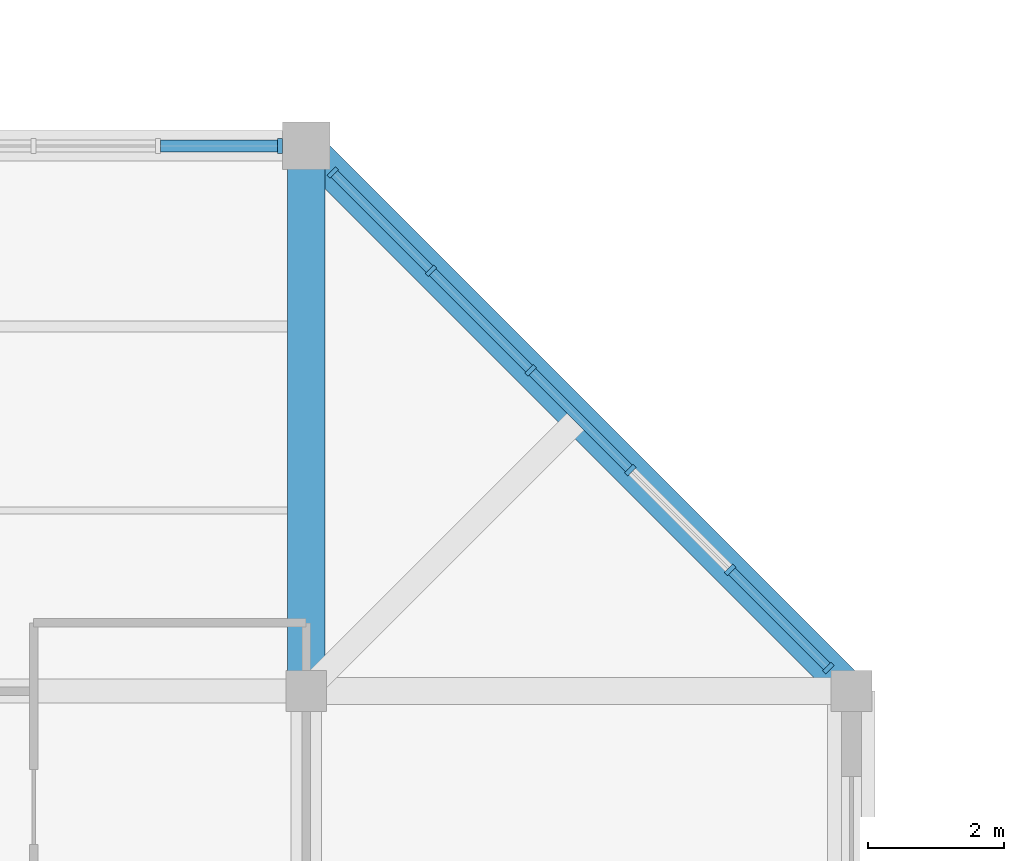
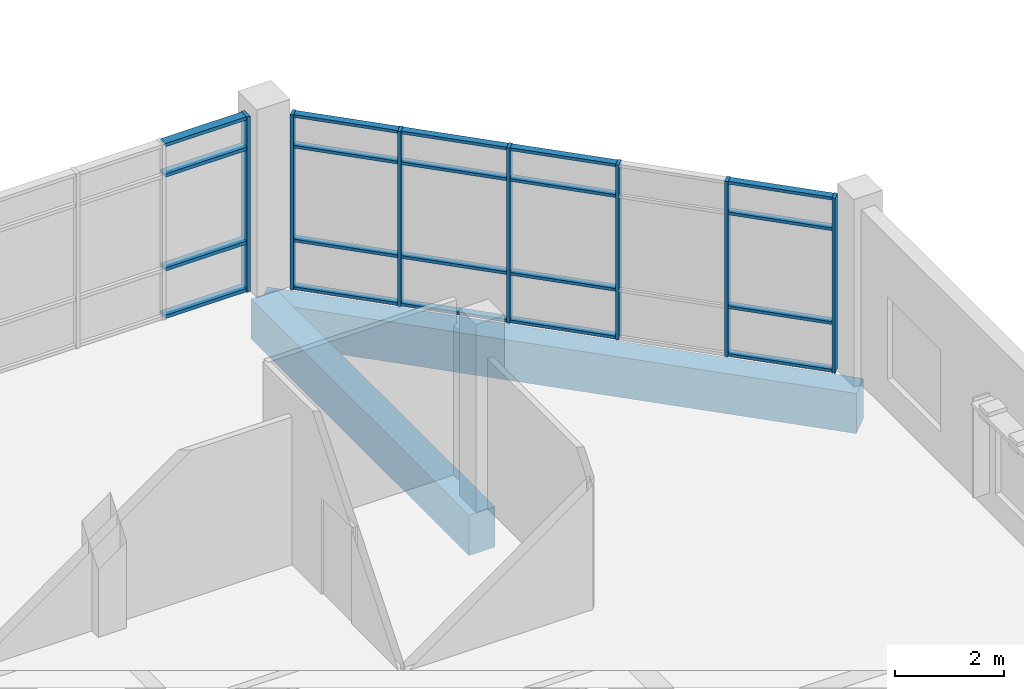
# One storey, part 38 of 84: 27 members, 2 beams, 2 elements without a shape of their own.
"""IFC4 building model written with IfcOpenShell, lengths in metres."""

from ifc_helpers import new_model, si_unit, direction, frame, origin, origin_2d, place, context, subcontext, project, spatial, rectangle, extrude, material, material_profile, profile_set, type_object, element, aggregate, save


model = new_model("IFC4")

# Units and contexts
model_context = context("Model", 3, precision=1e-05, world=origin(), true_north=direction((0.0, 1.0)))
body_context = subcontext(model_context, "Body", "Model", "MODEL_VIEW")
ifc_project = project(units=[si_unit("LENGTHUNIT", "METRE"), si_unit("AREAUNIT", "SQUARE_METRE"), si_unit("VOLUMEUNIT", "CUBIC_METRE"), si_unit("PLANEANGLEUNIT", "RADIAN"), si_unit("MASSUNIT", "GRAM", prefix="KILO")], contexts=[model_context])

# Site, building, storey
site_placement = place(None, origin())
site = spatial("IfcSite", under=ifc_project, at=site_placement, CompositionType="ELEMENT")
building_placement = place(site_placement, origin())
building = spatial("IfcBuilding", under=site, at=building_placement, Name="Tenunan Teduh Sports Hall", CompositionType="ELEMENT")
storey_placement = place(building_placement, frame((0.0, 0.0, 10.800048828125)))
storey = spatial("IfcBuildingStorey", under=building, at=storey_placement, Name="L02", CompositionType="ELEMENT", Elevation=10.800048828125)

# Beams
ifc_material_1 = material(Name="Concrete C40/50", Category="concrete")
ifc_material_profile_1 = material_profile(ifc_material_1, rectangle(XDim=0.5, YDim=0.89990234375, at=origin_2d()), Name="RCB 500x900")
ifc_profile_set_1 = profile_set([ifc_material_profile_1], Name="Concrete C40/50")
beam_type_1 = type_object("IfcBeamType", Name="BM-RC-500x900", PredefinedType="BEAM", material=ifc_profile_set_1)
beam_1_placement = place(storey_placement, frame((70.0, 118.0, -0.7099609375), z_axis=(0.707106781187, -0.707106781187, 0.0), x_axis=(0.707106781187, 0.707106781187, 0.0)))
element("IfcBeam", 1, at=beam_1_placement, inside=storey, type_object=beam_type_1, Name="BM-B-15-L02-0595", PredefinedType="BEAM", context=body_context, shape_type="SweptSolid", body=[
    extrude(rectangle(XDim=0.5, YDim=0.89990234375, at=origin_2d()), origin(), (0.0, 0.0, 1.0), 11.313720703125),
])
ifc_material_2 = material(Name="Concrete C40/50", Category="concrete")
ifc_material_profile_2 = material_profile(ifc_material_2, rectangle(XDim=0.550048828125, YDim=0.89990234375, at=origin_2d()), Name="RCB 550x900")
ifc_profile_set_2 = profile_set([ifc_material_profile_2], Name="Concrete C40/50")
beam_type_2 = type_object("IfcBeamType", Name="BM-RC-550x900", PredefinedType="BEAM", material=ifc_profile_set_2)
beam_2_placement = place(storey_placement, frame((70.0, 110.0, -0.7099609375), z_axis=(0.0, 1.0, 0.0), x_axis=(-1.0, 0.0, 0.0)))
element("IfcBeam", 2, at=beam_2_placement, inside=storey, type_object=beam_type_2, Name="BM-B-16-L02-1619", PredefinedType="BEAM", context=body_context, shape_type="SweptSolid", body=[
    extrude(rectangle(XDim=0.550048828125, YDim=0.89990234375, at=origin_2d()), origin(), (0.0, 0.0, 1.0), 8.0),
])

# Curtain wall, members
ifc_material_3 = material(Name="Anodised aluminium", Category="aluminium")
curtain_wall_type = type_object("IfcCurtainWallType", Name="CW-UNIT-2", PredefinedType="NOTDEFINED", material=ifc_material_3)
curtain_wall_1_placement = place(storey_placement, origin())
curtain_wall_1 = element("IfcCurtainWall", 3, at=curtain_wall_1_placement, inside=storey, type_object=curtain_wall_type, Name="CW-CWM-175-L02-214", PredefinedType="NOTDEFINED")
ifc_material_4 = material(Name="Anodised aluminium", Category="aluminium")
ifc_material_profile_3 = material_profile(ifc_material_4, rectangle(XDim=0.06494140625, YDim=0.175048828125, at=origin_2d()), Name="CWM 65x175")
ifc_profile_set_3 = profile_set([ifc_material_profile_3], Name="Anodised aluminium")
member_type_1 = type_object("IfcMemberType", Name="CWM-175", PredefinedType="MULLION", material=ifc_profile_set_3)
member_1_placement = place(storey_placement, frame((77.662109375, 110.337890625, 0.0), z_axis=(0.0, 0.0, 1.0), x_axis=(-0.707106781187, 0.707106781187, 0.0)))
member_1 = element("IfcMember", 4, at=member_1_placement, type_object=member_type_1, Name="CW-02 mullion 1", PredefinedType="MULLION", context=body_context, shape_type="SweptSolid", body=[
    extrude(rectangle(XDim=0.06494140625, YDim=0.175048828125, at=origin_2d()), origin(), (0.0, 0.0, 1.0), 3.919921875),
])
member_2_placement = place(storey_placement, frame((76.221435546875, 111.778564453125, 0.0), z_axis=(0.0, 0.0, 1.0), x_axis=(-0.707106781187, 0.707106781187, 0.0)))
member_2 = element("IfcMember", 5, at=member_2_placement, type_object=member_type_1, Name="CW-02 mullion 2", PredefinedType="MULLION", context=body_context, shape_type="SweptSolid", body=[
    extrude(rectangle(XDim=0.06494140625, YDim=0.175048828125, at=origin_2d()), origin(), (0.0, 0.0, 1.0), 3.919921875),
])
member_3_placement = place(storey_placement, frame((74.758056640625, 113.241943359375, 0.0), z_axis=(0.0, 0.0, 1.0), x_axis=(-0.707106781187, 0.707106781187, 0.0)))
member_3 = element("IfcMember", 6, at=member_3_placement, type_object=member_type_1, Name="CW-02 mullion 3", PredefinedType="MULLION", context=body_context, shape_type="SweptSolid", body=[
    extrude(rectangle(XDim=0.06494140625, YDim=0.175048828125, at=origin_2d()), origin(), (0.0, 0.0, 1.0), 3.919921875),
])
member_4_placement = place(storey_placement, frame((73.29443359375, 114.70556640625, 0.0), z_axis=(0.0, 0.0, 1.0), x_axis=(-0.707106781187, 0.707106781187, 0.0)))
member_4 = element("IfcMember", 7, at=member_4_placement, type_object=member_type_1, Name="CW-02 mullion 4", PredefinedType="MULLION", context=body_context, shape_type="SweptSolid", body=[
    extrude(rectangle(XDim=0.06494140625, YDim=0.175048828125, at=origin_2d()), origin(), (0.0, 0.0, 1.0), 3.919921875),
])
member_5_placement = place(storey_placement, frame((71.8310546875, 116.1689453125, 0.0), z_axis=(0.0, 0.0, 1.0), x_axis=(-0.707106781187, 0.707106781187, 0.0)))
member_5 = element("IfcMember", 8, at=member_5_placement, type_object=member_type_1, Name="CW-02 mullion 5", PredefinedType="MULLION", context=body_context, shape_type="SweptSolid", body=[
    extrude(rectangle(XDim=0.06494140625, YDim=0.175048828125, at=origin_2d()), origin(), (0.0, 0.0, 1.0), 3.919921875),
])
member_6_placement = place(storey_placement, frame((70.390380859375, 117.609619140625, 0.0), z_axis=(0.0, 0.0, 1.0), x_axis=(-0.707106781187, 0.707106781187, 0.0)))
member_6 = element("IfcMember", 9, at=member_6_placement, type_object=member_type_1, Name="CW-02 mullion 6", PredefinedType="MULLION", context=body_context, shape_type="SweptSolid", body=[
    extrude(rectangle(XDim=0.06494140625, YDim=0.175048828125, at=origin_2d()), origin(), (0.0, 0.0, 1.0), 3.919921875),
])

# Curtain wall, member
curtain_wall_2_placement = place(storey_placement, origin())
curtain_wall_2 = element("IfcCurtainWall", 10, at=curtain_wall_2_placement, inside=storey, type_object=curtain_wall_type, Name="CW-CWM-220-L02-217", PredefinedType="NOTDEFINED")
ifc_material_5 = material(Name="Anodised aluminium", Category="aluminium")
ifc_material_profile_4 = material_profile(ifc_material_5, rectangle(XDim=0.074951171875, YDim=0.219970703125, at=origin_2d()), Name="CWM 75x220")
ifc_profile_set_4 = profile_set([ifc_material_profile_4], Name="Anodised aluminium")
member_type_2 = type_object("IfcMemberType", Name="CWM-220", PredefinedType="MULLION", material=ifc_profile_set_4)
member_7_placement = place(storey_placement, frame((69.612548828125, 118.0, 0.0), z_axis=(0.0, 0.0, 1.0), x_axis=(1.0, 0.0, 0.0)))
member_7 = element("IfcMember", 11, at=member_7_placement, type_object=member_type_2, Name="CW-02 mullion 5", PredefinedType="MULLION", context=body_context, shape_type="SweptSolid", body=[
    extrude(rectangle(XDim=0.074951171875, YDim=0.219970703125, at=origin_2d()), origin(), (0.0, 0.0, 1.0), 3.919921875),
])

# Member
ifc_material_6 = material(Name="Anodised aluminium", Category="aluminium")
ifc_material_profile_5 = material_profile(ifc_material_6, rectangle(XDim=0.06494140625, YDim=0.139892578125, at=origin_2d()), Name="CWT 65x140")
ifc_profile_set_5 = profile_set([ifc_material_profile_5], Name="Anodised aluminium")
member_type_3 = type_object("IfcMemberType", Name="CWT-150", PredefinedType="USERDEFINED", material=ifc_profile_set_5)
member_8_placement = place(storey_placement, frame((77.638916015625, 110.361083984375, 0.032470703125), z_axis=(-0.707106781187, 0.707106781187, 0.0), x_axis=(0.0, 0.0, 1.0)))
member_8 = element("IfcMember", 12, at=member_8_placement, type_object=member_type_3, Name="CW-02 transom 1.1", ObjectType="TRANSOM", PredefinedType="USERDEFINED", context=body_context, shape_type="SweptSolid", body=[
    extrude(rectangle(XDim=0.06494140625, YDim=0.139892578125, at=origin_2d()), origin(), (0.0, 0.0, 1.0), 1.97216796875),
])

member_9_placement = place(storey_placement, frame((77.638916015625, 110.361083984375, 1.099853515625), z_axis=(-0.707106781187, 0.707106781187, 0.0), x_axis=(0.0, 0.0, 1.0)))
member_9 = element("IfcMember", 13, at=member_9_placement, type_object=member_type_3, Name="CW-02 transom 1.2", ObjectType="TRANSOM", PredefinedType="USERDEFINED", context=body_context, shape_type="SweptSolid", body=[
    extrude(rectangle(XDim=0.06494140625, YDim=0.139892578125, at=origin_2d()), origin(), (0.0, 0.0, 1.0), 1.97216796875),
])

member_10_placement = place(storey_placement, frame((77.638916015625, 110.361083984375, 3.199951171875), z_axis=(-0.707106781187, 0.707106781187, 0.0), x_axis=(0.0, 0.0, 1.0)))
member_10 = element("IfcMember", 14, at=member_10_placement, type_object=member_type_3, Name="CW-02 transom 1.3", ObjectType="TRANSOM", PredefinedType="USERDEFINED", context=body_context, shape_type="SweptSolid", body=[
    extrude(rectangle(XDim=0.06494140625, YDim=0.139892578125, at=origin_2d()), origin(), (0.0, 0.0, 1.0), 1.97216796875),
])

member_11_placement = place(storey_placement, frame((77.638916015625, 110.361083984375, 3.887451171875), z_axis=(-0.707106781187, 0.707106781187, 0.0), x_axis=(0.0, 0.0, 1.0)))
member_11 = element("IfcMember", 15, at=member_11_placement, type_object=member_type_3, Name="CW-02 transom 1.4", ObjectType="TRANSOM", PredefinedType="USERDEFINED", context=body_context, shape_type="SweptSolid", body=[
    extrude(rectangle(XDim=0.06494140625, YDim=0.139892578125, at=origin_2d()), origin(), (0.0, 0.0, 1.0), 1.97216796875),
])

member_12_placement = place(storey_placement, frame((74.735107421875, 113.264892578125, 0.032470703125), z_axis=(-0.707106781187, 0.707106781187, 0.0), x_axis=(0.0, 0.0, 1.0)))
member_12 = element("IfcMember", 16, at=member_12_placement, type_object=member_type_3, Name="CW-02 transom 3.1", ObjectType="TRANSOM", PredefinedType="USERDEFINED", context=body_context, shape_type="SweptSolid", body=[
    extrude(rectangle(XDim=0.06494140625, YDim=0.139892578125, at=origin_2d()), origin(), (0.0, 0.0, 1.0), 2.0048828125),
])

member_13_placement = place(storey_placement, frame((74.735107421875, 113.264892578125, 1.099853515625), z_axis=(-0.707106781187, 0.707106781187, 0.0), x_axis=(0.0, 0.0, 1.0)))
member_13 = element("IfcMember", 17, at=member_13_placement, type_object=member_type_3, Name="CW-02 transom 3.2", ObjectType="TRANSOM", PredefinedType="USERDEFINED", context=body_context, shape_type="SweptSolid", body=[
    extrude(rectangle(XDim=0.06494140625, YDim=0.139892578125, at=origin_2d()), origin(), (0.0, 0.0, 1.0), 2.0048828125),
])

member_14_placement = place(storey_placement, frame((74.735107421875, 113.264892578125, 3.199951171875), z_axis=(-0.707106781187, 0.707106781187, 0.0), x_axis=(0.0, 0.0, 1.0)))
member_14 = element("IfcMember", 18, at=member_14_placement, type_object=member_type_3, Name="CW-02 transom 3.3", ObjectType="TRANSOM", PredefinedType="USERDEFINED", context=body_context, shape_type="SweptSolid", body=[
    extrude(rectangle(XDim=0.06494140625, YDim=0.139892578125, at=origin_2d()), origin(), (0.0, 0.0, 1.0), 2.0048828125),
])

member_15_placement = place(storey_placement, frame((74.735107421875, 113.264892578125, 3.887451171875), z_axis=(-0.707106781187, 0.707106781187, 0.0), x_axis=(0.0, 0.0, 1.0)))
member_15 = element("IfcMember", 19, at=member_15_placement, type_object=member_type_3, Name="CW-02 transom 3.4", ObjectType="TRANSOM", PredefinedType="USERDEFINED", context=body_context, shape_type="SweptSolid", body=[
    extrude(rectangle(XDim=0.06494140625, YDim=0.139892578125, at=origin_2d()), origin(), (0.0, 0.0, 1.0), 2.0048828125),
])

member_16_placement = place(storey_placement, frame((73.271484375, 114.728515625, 0.032470703125), z_axis=(-0.707106781187, 0.707106781187, 0.0), x_axis=(0.0, 0.0, 1.0)))
member_16 = element("IfcMember", 20, at=member_16_placement, type_object=member_type_3, Name="CW-02 transom 4.1", ObjectType="TRANSOM", PredefinedType="USERDEFINED", context=body_context, shape_type="SweptSolid", body=[
    extrude(rectangle(XDim=0.06494140625, YDim=0.139892578125, at=origin_2d()), origin(), (0.0, 0.0, 1.0), 2.004638671875),
])

member_17_placement = place(storey_placement, frame((73.271484375, 114.728515625, 1.099853515625), z_axis=(-0.707106781187, 0.707106781187, 0.0), x_axis=(0.0, 0.0, 1.0)))
member_17 = element("IfcMember", 21, at=member_17_placement, type_object=member_type_3, Name="CW-02 transom 4.2", ObjectType="TRANSOM", PredefinedType="USERDEFINED", context=body_context, shape_type="SweptSolid", body=[
    extrude(rectangle(XDim=0.06494140625, YDim=0.139892578125, at=origin_2d()), origin(), (0.0, 0.0, 1.0), 2.004638671875),
])

member_18_placement = place(storey_placement, frame((73.271484375, 114.728515625, 3.199951171875), z_axis=(-0.707106781187, 0.707106781187, 0.0), x_axis=(0.0, 0.0, 1.0)))
member_18 = element("IfcMember", 22, at=member_18_placement, type_object=member_type_3, Name="CW-02 transom 4.3", ObjectType="TRANSOM", PredefinedType="USERDEFINED", context=body_context, shape_type="SweptSolid", body=[
    extrude(rectangle(XDim=0.06494140625, YDim=0.139892578125, at=origin_2d()), origin(), (0.0, 0.0, 1.0), 2.004638671875),
])

member_19_placement = place(storey_placement, frame((73.271484375, 114.728515625, 3.887451171875), z_axis=(-0.707106781187, 0.707106781187, 0.0), x_axis=(0.0, 0.0, 1.0)))
member_19 = element("IfcMember", 23, at=member_19_placement, type_object=member_type_3, Name="CW-02 transom 4.4", ObjectType="TRANSOM", PredefinedType="USERDEFINED", context=body_context, shape_type="SweptSolid", body=[
    extrude(rectangle(XDim=0.06494140625, YDim=0.139892578125, at=origin_2d()), origin(), (0.0, 0.0, 1.0), 2.004638671875),
])

member_20_placement = place(storey_placement, frame((71.80810546875, 116.19189453125, 0.032470703125), z_axis=(-0.707106781187, 0.707106781187, 0.0), x_axis=(0.0, 0.0, 1.0)))
member_20 = element("IfcMember", 24, at=member_20_placement, type_object=member_type_3, Name="CW-02 transom 5.1", ObjectType="TRANSOM", PredefinedType="USERDEFINED", context=body_context, shape_type="SweptSolid", body=[
    extrude(rectangle(XDim=0.06494140625, YDim=0.139892578125, at=origin_2d()), origin(), (0.0, 0.0, 1.0), 1.97216796875),
])

member_21_placement = place(storey_placement, frame((71.80810546875, 116.19189453125, 1.099853515625), z_axis=(-0.707106781187, 0.707106781187, 0.0), x_axis=(0.0, 0.0, 1.0)))
member_21 = element("IfcMember", 25, at=member_21_placement, type_object=member_type_3, Name="CW-02 transom 5.2", ObjectType="TRANSOM", PredefinedType="USERDEFINED", context=body_context, shape_type="SweptSolid", body=[
    extrude(rectangle(XDim=0.06494140625, YDim=0.139892578125, at=origin_2d()), origin(), (0.0, 0.0, 1.0), 1.97216796875),
])

member_22_placement = place(storey_placement, frame((71.80810546875, 116.19189453125, 3.199951171875), z_axis=(-0.707106781187, 0.707106781187, 0.0), x_axis=(0.0, 0.0, 1.0)))
member_22 = element("IfcMember", 26, at=member_22_placement, type_object=member_type_3, Name="CW-02 transom 5.3", ObjectType="TRANSOM", PredefinedType="USERDEFINED", context=body_context, shape_type="SweptSolid", body=[
    extrude(rectangle(XDim=0.06494140625, YDim=0.139892578125, at=origin_2d()), origin(), (0.0, 0.0, 1.0), 1.97216796875),
])

member_23_placement = place(storey_placement, frame((71.80810546875, 116.19189453125, 3.887451171875), z_axis=(-0.707106781187, 0.707106781187, 0.0), x_axis=(0.0, 0.0, 1.0)))
member_23 = element("IfcMember", 27, at=member_23_placement, type_object=member_type_3, Name="CW-02 transom 5.4", ObjectType="TRANSOM", PredefinedType="USERDEFINED", context=body_context, shape_type="SweptSolid", body=[
    extrude(rectangle(XDim=0.06494140625, YDim=0.139892578125, at=origin_2d()), origin(), (0.0, 0.0, 1.0), 1.97216796875),
])

aggregate(curtain_wall_1, [member_1, member_2, member_3, member_4, member_5, member_6, member_8, member_9, member_10, member_11, member_12, member_13, member_14, member_15, member_16, member_17, member_18, member_19, member_20, member_21, member_22, member_23])

ifc_material_7 = material(Name="Anodised aluminium", Category="aluminium")
ifc_material_profile_6 = material_profile(ifc_material_7, rectangle(XDim=0.074951171875, YDim=0.179931640625, at=origin_2d()), Name="CWT 75x180")
ifc_profile_set_6 = profile_set([ifc_material_profile_6], Name="Anodised aluminium")
member_type_4 = type_object("IfcMemberType", Name="CWT-180", PredefinedType="USERDEFINED", material=ifc_profile_set_6)
member_24_placement = place(storey_placement, frame((67.862548828125, 118.0, 0.037353515625), z_axis=(1.0, 0.0, 0.0), x_axis=(0.0, 0.0, 1.0)))
member_24 = element("IfcMember", 28, at=member_24_placement, type_object=member_type_4, Name="CW-02 transom 4.1", ObjectType="TRANSOM", PredefinedType="USERDEFINED", context=body_context, shape_type="SweptSolid", body=[
    extrude(rectangle(XDim=0.074951171875, YDim=0.179931640625, at=origin_2d()), origin(), (0.0, 0.0, 1.0), 1.71240234375),
])

member_25_placement = place(storey_placement, frame((67.862548828125, 118.0, 1.099853515625), z_axis=(1.0, 0.0, 0.0), x_axis=(0.0, 0.0, 1.0)))
member_25 = element("IfcMember", 29, at=member_25_placement, type_object=member_type_4, Name="CW-02 transom 4.2", ObjectType="TRANSOM", PredefinedType="USERDEFINED", context=body_context, shape_type="SweptSolid", body=[
    extrude(rectangle(XDim=0.074951171875, YDim=0.179931640625, at=origin_2d()), origin(), (0.0, 0.0, 1.0), 1.71240234375),
])

member_26_placement = place(storey_placement, frame((67.862548828125, 118.0, 3.199951171875), z_axis=(1.0, 0.0, 0.0), x_axis=(0.0, 0.0, 1.0)))
member_26 = element("IfcMember", 30, at=member_26_placement, type_object=member_type_4, Name="CW-02 transom 4.3", ObjectType="TRANSOM", PredefinedType="USERDEFINED", context=body_context, shape_type="SweptSolid", body=[
    extrude(rectangle(XDim=0.074951171875, YDim=0.179931640625, at=origin_2d()), origin(), (0.0, 0.0, 1.0), 1.71240234375),
])

member_27_placement = place(storey_placement, frame((67.862548828125, 118.0, 3.882568359375), z_axis=(1.0, 0.0, 0.0), x_axis=(0.0, 0.0, 1.0)))
member_27 = element("IfcMember", 31, at=member_27_placement, type_object=member_type_4, Name="CW-02 transom 4.4", ObjectType="TRANSOM", PredefinedType="USERDEFINED", context=body_context, shape_type="SweptSolid", body=[
    extrude(rectangle(XDim=0.074951171875, YDim=0.179931640625, at=origin_2d()), origin(), (0.0, 0.0, 1.0), 1.71240234375),
])

aggregate(curtain_wall_2, [member_7, member_24, member_25, member_26, member_27])

save(model, "model.ifc")
